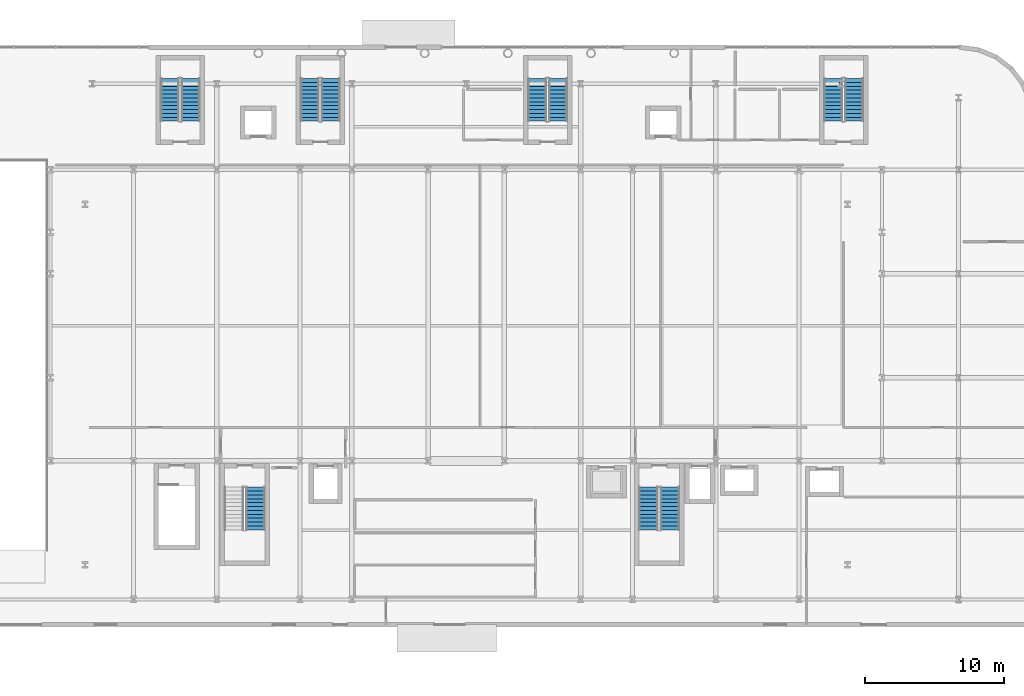
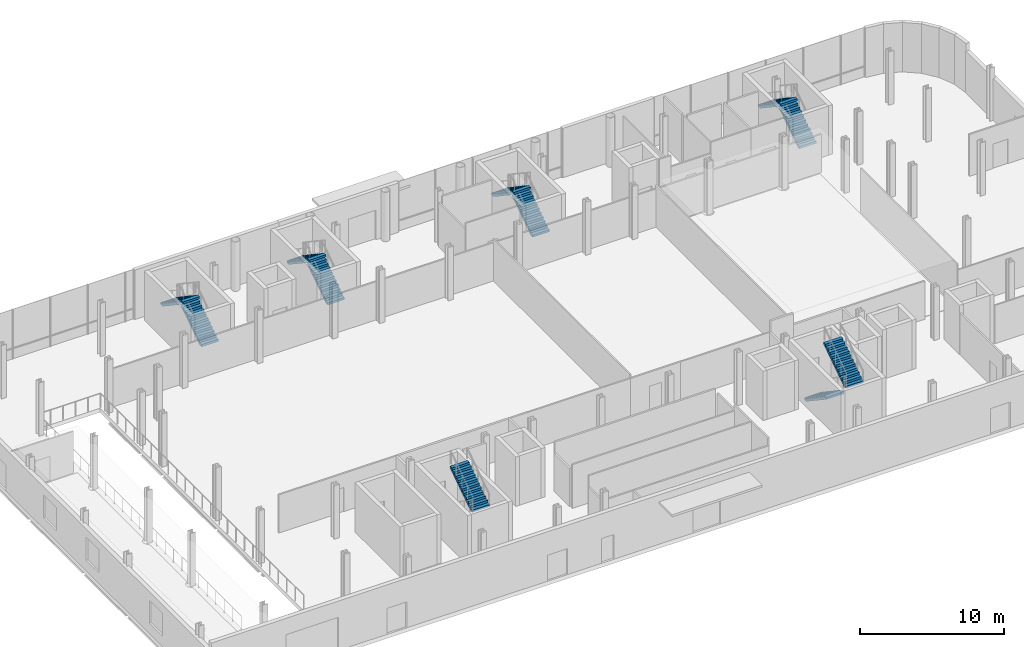
# One storey, part 21 of 28: 11 stair flights, 6 elements without a shape of their own.
"""IFC4 building model written with IfcOpenShell, lengths in metres."""

from ifc_helpers import new_model, si_unit, direction, frame, origin, place, context, subcontext, project, spatial, polyline, outline, extrude, material, layer, layer_set, type_object, element, aggregate, save


model = new_model("IFC4")

# Units and contexts
model_context = context("Model", 3, precision=1e-05, world=origin(), true_north=direction((0.0, 1.0)))
body_context = subcontext(model_context, "Body", "Model", "MODEL_VIEW")
ifc_project = project(units=[si_unit("LENGTHUNIT", "METRE"), si_unit("AREAUNIT", "SQUARE_METRE"), si_unit("VOLUMEUNIT", "CUBIC_METRE"), si_unit("PLANEANGLEUNIT", "RADIAN"), si_unit("MASSUNIT", "GRAM", prefix="KILO")], contexts=[model_context])

# Site, building, storey
site_placement = place(None, origin())
site = spatial("IfcSite", under=ifc_project, at=site_placement, CompositionType="ELEMENT")
building_placement = place(site_placement, origin())
building = spatial("IfcBuilding", under=site, at=building_placement, Name="Brevholm Reach", CompositionType="ELEMENT")
storey_placement = place(building_placement, origin())
storey = spatial("IfcBuildingStorey", under=building, at=storey_placement, Name="L00", CompositionType="ELEMENT", Elevation=0.0)

# Stair, stair flights
ifc_material_1 = material(Name="Precast Concrete C40/50", Category="concrete")
stair_type_1 = type_object("IfcStairType", Name="STR-ESC-1250", PredefinedType="DOUBLE_RETURN_STAIR", material=ifc_material_1)
stair_1_placement = place(storey_placement, origin())
stair_1 = element("IfcStair", 1, at=stair_1_placement, inside=storey, type_object=stair_type_1, Name="L00 ST-S1", PredefinedType="DOUBLE_RETURN_STAIR")
ifc_material_2 = material(Name="Precast Concrete C40/50", Category="concrete")
ifc_layer_1 = layer(ifc_material_2, 0.1650390625)
ifc_layer_set_1 = layer_set([ifc_layer_1], Name="Precast Concrete C40/50")
stair_flight_type_1 = type_object("IfcStairFlightType", Name="STF-PRC-165", PredefinedType="STRAIGHT", material=ifc_layer_set_1)
stair_flight_1_placement = place(storey_placement, frame((10.125, 34.5, 0.0), z_axis=(0.0, 0.0, 1.0), x_axis=(0.0, 1.0, 0.0)))
stair_flight_1 = element("IfcStairFlight", 2, at=stair_flight_1_placement, type_object=stair_flight_type_1, Name="ST-S1 flight 1", NumberOfRisers=12, NumberOfTreads=11, PredefinedType="STRAIGHT", RiserHeight=0.1875, TreadLength=0.28, context=body_context, shape_type="SweptSolid", body=[
    extrude(outline(polyline([(0.0, 0.0), (0.0, 0.1875), (0.280029296875, 0.1875), (0.280029296875, 0.375), (0.56005859375, 0.375), (0.56005859375, 0.5625), (0.840087890625, 0.5625), (0.840087890625, 0.75), (1.1201171875, 0.75), (1.1201171875, 0.9375), (1.39990234375, 0.9375), (1.39990234375, 1.125), (1.679931640625, 1.125), (1.679931640625, 1.3125), (1.9599609375, 1.3125), (1.9599609375, 1.5), (2.239990234375, 1.5), (2.239990234375, 1.6875), (2.52001953125, 1.6875), (2.52001953125, 1.875), (2.800048828125, 1.875), (2.800048828125, 2.0625), (3.080078125, 2.0625), (3.080078125, 2.25), (3.080078125, 1.882080078125), (0.26953125, 0.0), (0.0, 0.0)])), frame((0.0, 0.675048828125, 0.0), z_axis=(0.0, -1.0, 0.0), x_axis=(1.0, 0.0, 0.0)), (0.0, 0.0, 1.0), 1.35009765625),
])
stair_flight_2_placement = place(storey_placement, frame((8.625, 37.580078125, 2.25), z_axis=(0.0, 0.0, 1.0), x_axis=(0.0, -1.0, 0.0)))
stair_flight_2 = element("IfcStairFlight", 3, at=stair_flight_2_placement, type_object=stair_flight_type_1, Name="ST-S1 flight 2", NumberOfRisers=12, NumberOfTreads=11, PredefinedType="STRAIGHT", RiserHeight=0.1875, TreadLength=0.28, context=body_context, shape_type="SweptSolid", body=[
    extrude(outline(polyline([(0.0, 0.0), (0.0, 0.1875), (0.280029296875, 0.1875), (0.280029296875, 0.375), (0.56005859375, 0.375), (0.56005859375, 0.5625), (0.840087890625, 0.5625), (0.840087890625, 0.75), (1.1201171875, 0.75), (1.1201171875, 0.9375), (1.39990234375, 0.9375), (1.39990234375, 1.125), (1.679931640625, 1.125), (1.679931640625, 1.3125), (1.9599609375, 1.3125), (1.9599609375, 1.5), (2.239990234375, 1.5), (2.239990234375, 1.6875), (2.52001953125, 1.6875), (2.52001953125, 1.875), (2.800048828125, 1.875), (2.800048828125, 2.0625), (3.080078125, 2.0625), (3.080078125, 2.25), (3.080078125, 1.882080078125), (0.26953125, 0.0), (0.0, 0.0)])), frame((0.0, 0.675048828125, 0.0), z_axis=(0.0, -1.0, 0.0), x_axis=(1.0, 0.0, 0.0)), (0.0, 0.0, 1.0), 1.35009765625),
])
aggregate(stair_1, [stair_flight_1, stair_flight_2])

stair_2_placement = place(storey_placement, origin())
stair_2 = element("IfcStair", 4, at=stair_2_placement, inside=storey, type_object=stair_type_1, Name="L00 ST-S2", PredefinedType="DOUBLE_RETURN_STAIR")
stair_flight_3_placement = place(storey_placement, frame((20.22509765625, 34.5, 0.0), z_axis=(0.0, 0.0, 1.0), x_axis=(0.0, 1.0, 0.0)))
stair_flight_3 = element("IfcStairFlight", 5, at=stair_flight_3_placement, type_object=stair_flight_type_1, Name="ST-S2 flight 1", NumberOfRisers=12, NumberOfTreads=11, PredefinedType="STRAIGHT", RiserHeight=0.1875, TreadLength=0.28, context=body_context, shape_type="SweptSolid", body=[
    extrude(outline(polyline([(0.0, 0.0), (0.0, 0.1875), (0.280029296875, 0.1875), (0.280029296875, 0.375), (0.56005859375, 0.375), (0.56005859375, 0.5625), (0.840087890625, 0.5625), (0.840087890625, 0.75), (1.1201171875, 0.75), (1.1201171875, 0.9375), (1.39990234375, 0.9375), (1.39990234375, 1.125), (1.679931640625, 1.125), (1.679931640625, 1.3125), (1.9599609375, 1.3125), (1.9599609375, 1.5), (2.239990234375, 1.5), (2.239990234375, 1.6875), (2.52001953125, 1.6875), (2.52001953125, 1.875), (2.800048828125, 1.875), (2.800048828125, 2.0625), (3.080078125, 2.0625), (3.080078125, 2.25), (3.080078125, 1.882080078125), (0.26953125, 0.0), (0.0, 0.0)])), frame((0.0, 0.675048828125, 0.0), z_axis=(0.0, -1.0, 0.0), x_axis=(1.0, 0.0, 0.0)), (0.0, 0.0, 1.0), 1.35009765625),
])
stair_flight_4_placement = place(storey_placement, frame((18.72509765625, 37.580078125, 2.25), z_axis=(0.0, 0.0, 1.0), x_axis=(0.0, -1.0, 0.0)))
stair_flight_4 = element("IfcStairFlight", 6, at=stair_flight_4_placement, type_object=stair_flight_type_1, Name="ST-S2 flight 2", NumberOfRisers=12, NumberOfTreads=11, PredefinedType="STRAIGHT", RiserHeight=0.1875, TreadLength=0.28, context=body_context, shape_type="SweptSolid", body=[
    extrude(outline(polyline([(0.0, 0.0), (0.0, 0.1875), (0.280029296875, 0.1875), (0.280029296875, 0.375), (0.56005859375, 0.375), (0.56005859375, 0.5625), (0.840087890625, 0.5625), (0.840087890625, 0.75), (1.1201171875, 0.75), (1.1201171875, 0.9375), (1.39990234375, 0.9375), (1.39990234375, 1.125), (1.679931640625, 1.125), (1.679931640625, 1.3125), (1.9599609375, 1.3125), (1.9599609375, 1.5), (2.239990234375, 1.5), (2.239990234375, 1.6875), (2.52001953125, 1.6875), (2.52001953125, 1.875), (2.800048828125, 1.875), (2.800048828125, 2.0625), (3.080078125, 2.0625), (3.080078125, 2.25), (3.080078125, 1.882080078125), (0.26953125, 0.0), (0.0, 0.0)])), frame((0.0, 0.675048828125, 0.0), z_axis=(0.0, -1.0, 0.0), x_axis=(1.0, 0.0, 0.0)), (0.0, 0.0, 1.0), 1.35009765625),
])
aggregate(stair_2, [stair_flight_3, stair_flight_4])

stair_3_placement = place(storey_placement, origin())
stair_3 = element("IfcStair", 7, at=stair_3_placement, inside=storey, type_object=stair_type_1, Name="L00 ST-S3", PredefinedType="DOUBLE_RETURN_STAIR")
stair_flight_5_placement = place(storey_placement, frame((36.625, 34.5, 0.0), z_axis=(0.0, 0.0, 1.0), x_axis=(0.0, 1.0, 0.0)))
stair_flight_5 = element("IfcStairFlight", 8, at=stair_flight_5_placement, type_object=stair_flight_type_1, Name="ST-S3 flight 1", NumberOfRisers=12, NumberOfTreads=11, PredefinedType="STRAIGHT", RiserHeight=0.1875, TreadLength=0.28, context=body_context, shape_type="SweptSolid", body=[
    extrude(outline(polyline([(0.0, 0.0), (0.0, 0.1875), (0.280029296875, 0.1875), (0.280029296875, 0.375), (0.56005859375, 0.375), (0.56005859375, 0.5625), (0.840087890625, 0.5625), (0.840087890625, 0.75), (1.1201171875, 0.75), (1.1201171875, 0.9375), (1.39990234375, 0.9375), (1.39990234375, 1.125), (1.679931640625, 1.125), (1.679931640625, 1.3125), (1.9599609375, 1.3125), (1.9599609375, 1.5), (2.239990234375, 1.5), (2.239990234375, 1.6875), (2.52001953125, 1.6875), (2.52001953125, 1.875), (2.800048828125, 1.875), (2.800048828125, 2.0625), (3.080078125, 2.0625), (3.080078125, 2.25), (3.080078125, 1.882080078125), (0.26953125, 0.0), (0.0, 0.0)])), frame((0.0, 0.675048828125, 0.0), z_axis=(0.0, -1.0, 0.0), x_axis=(1.0, 0.0, 0.0)), (0.0, 0.0, 1.0), 1.35009765625),
])
stair_flight_6_placement = place(storey_placement, frame((35.125, 37.580078125, 2.25), z_axis=(0.0, 0.0, 1.0), x_axis=(0.0, -1.0, 0.0)))
stair_flight_6 = element("IfcStairFlight", 9, at=stair_flight_6_placement, type_object=stair_flight_type_1, Name="ST-S3 flight 2", NumberOfRisers=12, NumberOfTreads=11, PredefinedType="STRAIGHT", RiserHeight=0.1875, TreadLength=0.28, context=body_context, shape_type="SweptSolid", body=[
    extrude(outline(polyline([(0.0, 0.0), (0.0, 0.1875), (0.280029296875, 0.1875), (0.280029296875, 0.375), (0.56005859375, 0.375), (0.56005859375, 0.5625), (0.840087890625, 0.5625), (0.840087890625, 0.75), (1.1201171875, 0.75), (1.1201171875, 0.9375), (1.39990234375, 0.9375), (1.39990234375, 1.125), (1.679931640625, 1.125), (1.679931640625, 1.3125), (1.9599609375, 1.3125), (1.9599609375, 1.5), (2.239990234375, 1.5), (2.239990234375, 1.6875), (2.52001953125, 1.6875), (2.52001953125, 1.875), (2.800048828125, 1.875), (2.800048828125, 2.0625), (3.080078125, 2.0625), (3.080078125, 2.25), (3.080078125, 1.882080078125), (0.26953125, 0.0), (0.0, 0.0)])), frame((0.0, 0.675048828125, 0.0), z_axis=(0.0, -1.0, 0.0), x_axis=(1.0, 0.0, 0.0)), (0.0, 0.0, 1.0), 1.35009765625),
])
aggregate(stair_3, [stair_flight_5, stair_flight_6])

stair_4_placement = place(storey_placement, origin())
stair_4 = element("IfcStair", 10, at=stair_4_placement, inside=storey, type_object=stair_type_1, Name="L00 ST-S4", PredefinedType="DOUBLE_RETURN_STAIR")
stair_flight_7_placement = place(storey_placement, frame((57.97509765625, 34.5, 0.0), z_axis=(0.0, 0.0, 1.0), x_axis=(0.0, 1.0, 0.0)))
stair_flight_7 = element("IfcStairFlight", 11, at=stair_flight_7_placement, type_object=stair_flight_type_1, Name="ST-S4 flight 1", NumberOfRisers=12, NumberOfTreads=11, PredefinedType="STRAIGHT", RiserHeight=0.1875, TreadLength=0.28, context=body_context, shape_type="SweptSolid", body=[
    extrude(outline(polyline([(0.0, 0.0), (0.0, 0.1875), (0.280029296875, 0.1875), (0.280029296875, 0.375), (0.56005859375, 0.375), (0.56005859375, 0.5625), (0.840087890625, 0.5625), (0.840087890625, 0.75), (1.1201171875, 0.75), (1.1201171875, 0.9375), (1.39990234375, 0.9375), (1.39990234375, 1.125), (1.679931640625, 1.125), (1.679931640625, 1.3125), (1.9599609375, 1.3125), (1.9599609375, 1.5), (2.239990234375, 1.5), (2.239990234375, 1.6875), (2.52001953125, 1.6875), (2.52001953125, 1.875), (2.800048828125, 1.875), (2.800048828125, 2.0625), (3.080078125, 2.0625), (3.080078125, 2.25), (3.080078125, 1.882080078125), (0.26953125, 0.0), (0.0, 0.0)])), frame((0.0, 0.675048828125, 0.0), z_axis=(0.0, -1.0, 0.0), x_axis=(1.0, 0.0, 0.0)), (0.0, 0.0, 1.0), 1.35009765625),
])
stair_flight_8_placement = place(storey_placement, frame((56.47509765625, 37.580078125, 2.25), z_axis=(0.0, 0.0, 1.0), x_axis=(0.0, -1.0, 0.0)))
stair_flight_8 = element("IfcStairFlight", 12, at=stair_flight_8_placement, type_object=stair_flight_type_1, Name="ST-S4 flight 2", NumberOfRisers=12, NumberOfTreads=11, PredefinedType="STRAIGHT", RiserHeight=0.1875, TreadLength=0.28, context=body_context, shape_type="SweptSolid", body=[
    extrude(outline(polyline([(0.0, 0.0), (0.0, 0.1875), (0.280029296875, 0.1875), (0.280029296875, 0.375), (0.56005859375, 0.375), (0.56005859375, 0.5625), (0.840087890625, 0.5625), (0.840087890625, 0.75), (1.1201171875, 0.75), (1.1201171875, 0.9375), (1.39990234375, 0.9375), (1.39990234375, 1.125), (1.679931640625, 1.125), (1.679931640625, 1.3125), (1.9599609375, 1.3125), (1.9599609375, 1.5), (2.239990234375, 1.5), (2.239990234375, 1.6875), (2.52001953125, 1.6875), (2.52001953125, 1.875), (2.800048828125, 1.875), (2.800048828125, 2.0625), (3.080078125, 2.0625), (3.080078125, 2.25), (3.080078125, 1.882080078125), (0.26953125, 0.0), (0.0, 0.0)])), frame((0.0, 0.675048828125, 0.0), z_axis=(0.0, -1.0, 0.0), x_axis=(1.0, 0.0, 0.0)), (0.0, 0.0, 1.0), 1.35009765625),
])
aggregate(stair_4, [stair_flight_7, stair_flight_8])

# Stair, stair flight
ifc_material_3 = material(Name="Precast Concrete C40/50", Category="concrete")
stair_type_2 = type_object("IfcStairType", Name="STR-ESC-1400", PredefinedType="DOUBLE_RETURN_STAIR", material=ifc_material_3)
stair_5_placement = place(storey_placement, origin())
stair_5 = element("IfcStair", 13, at=stair_5_placement, inside=storey, type_object=stair_type_2, Name="L00 ST-1", PredefinedType="DOUBLE_RETURN_STAIR")
ifc_material_4 = material(Name="Precast Concrete C40/50", Category="concrete")
ifc_layer_2 = layer(ifc_material_4, 0.18505859375)
ifc_layer_set_2 = layer_set([ifc_layer_2], Name="Precast Concrete C40/50")
stair_flight_type_2 = type_object("IfcStairFlightType", Name="STF-PRC-185", PredefinedType="STRAIGHT", material=ifc_layer_set_2)
stair_flight_9_placement = place(storey_placement, frame((14.800048828125, 5.02001953125, 2.25), z_axis=(0.0, 0.0, 1.0), x_axis=(0.0, 1.0, 0.0)))
stair_flight_9 = element("IfcStairFlight", 14, at=stair_flight_9_placement, type_object=stair_flight_type_2, Name="ST-1 flight 2", NumberOfRisers=12, NumberOfTreads=11, PredefinedType="STRAIGHT", RiserHeight=0.1875, TreadLength=0.28, context=body_context, shape_type="SweptSolid", body=[
    extrude(outline(polyline([(0.0, 0.0), (0.0, 0.1875), (0.280029296875, 0.1875), (0.280029296875, 0.375), (0.56005859375, 0.375), (0.56005859375, 0.5625), (0.840087890625, 0.5625), (0.840087890625, 0.75), (1.1201171875, 0.75), (1.1201171875, 0.9375), (1.39990234375, 0.9375), (1.39990234375, 1.125), (1.679931640625, 1.125), (1.679931640625, 1.3125), (1.9599609375, 1.3125), (1.9599609375, 1.5), (2.239990234375, 1.5), (2.239990234375, 1.6875), (2.52001953125, 1.6875), (2.52001953125, 1.875), (2.800048828125, 1.875), (2.800048828125, 2.0625), (3.080078125, 2.0625), (3.080078125, 2.25), (3.080078125, 1.882080078125), (0.26953125, 0.0), (0.0, 0.0)])), frame((0.0, 0.699951171875, 0.0), z_axis=(0.0, -1.0, 0.0), x_axis=(1.0, 0.0, 0.0)), (0.0, 0.0, 1.0), 1.39990234375),
])
aggregate(stair_5, [stair_flight_9])

# Stair, stair flights
stair_6_placement = place(storey_placement, origin())
stair_6 = element("IfcStair", 15, at=stair_6_placement, inside=storey, type_object=stair_type_2, Name="L00 ST-2", PredefinedType="DOUBLE_RETURN_STAIR")
stair_flight_10_placement = place(storey_placement, frame((43.14990234375, 8.10009765625, 0.0), z_axis=(0.0, 0.0, 1.0), x_axis=(0.0, -1.0, 0.0)))
stair_flight_10 = element("IfcStairFlight", 16, at=stair_flight_10_placement, type_object=stair_flight_type_2, Name="ST-2 flight 1", NumberOfRisers=12, NumberOfTreads=11, PredefinedType="STRAIGHT", RiserHeight=0.1875, TreadLength=0.28, context=body_context, shape_type="SweptSolid", body=[
    extrude(outline(polyline([(0.0, 0.0), (0.0, 0.1875), (0.280029296875, 0.1875), (0.280029296875, 0.375), (0.56005859375, 0.375), (0.56005859375, 0.5625), (0.840087890625, 0.5625), (0.840087890625, 0.75), (1.1201171875, 0.75), (1.1201171875, 0.9375), (1.39990234375, 0.9375), (1.39990234375, 1.125), (1.679931640625, 1.125), (1.679931640625, 1.3125), (1.9599609375, 1.3125), (1.9599609375, 1.5), (2.239990234375, 1.5), (2.239990234375, 1.6875), (2.52001953125, 1.6875), (2.52001953125, 1.875), (2.800048828125, 1.875), (2.800048828125, 2.0625), (3.080078125, 2.0625), (3.080078125, 2.25), (3.080078125, 1.882080078125), (0.26953125, 0.0), (0.0, 0.0)])), frame((0.0, 0.699951171875, 0.0), z_axis=(0.0, -1.0, 0.0), x_axis=(1.0, 0.0, 0.0)), (0.0, 0.0, 1.0), 1.39990234375),
])
stair_flight_11_placement = place(storey_placement, frame((44.699951171875, 5.02001953125, 2.25), z_axis=(0.0, 0.0, 1.0), x_axis=(0.0, 1.0, 0.0)))
stair_flight_11 = element("IfcStairFlight", 17, at=stair_flight_11_placement, type_object=stair_flight_type_2, Name="ST-2 flight 2", NumberOfRisers=12, NumberOfTreads=11, PredefinedType="STRAIGHT", RiserHeight=0.1875, TreadLength=0.28, context=body_context, shape_type="SweptSolid", body=[
    extrude(outline(polyline([(0.0, 0.0), (0.0, 0.1875), (0.280029296875, 0.1875), (0.280029296875, 0.375), (0.56005859375, 0.375), (0.56005859375, 0.5625), (0.840087890625, 0.5625), (0.840087890625, 0.75), (1.1201171875, 0.75), (1.1201171875, 0.9375), (1.39990234375, 0.9375), (1.39990234375, 1.125), (1.679931640625, 1.125), (1.679931640625, 1.3125), (1.9599609375, 1.3125), (1.9599609375, 1.5), (2.239990234375, 1.5), (2.239990234375, 1.6875), (2.52001953125, 1.6875), (2.52001953125, 1.875), (2.800048828125, 1.875), (2.800048828125, 2.0625), (3.080078125, 2.0625), (3.080078125, 2.25), (3.080078125, 1.882080078125), (0.26953125, 0.0), (0.0, 0.0)])), frame((0.0, 0.699951171875, 0.0), z_axis=(0.0, -1.0, 0.0), x_axis=(1.0, 0.0, 0.0)), (0.0, 0.0, 1.0), 1.39990234375),
])
aggregate(stair_6, [stair_flight_10, stair_flight_11])

save(model, "model.ifc")
